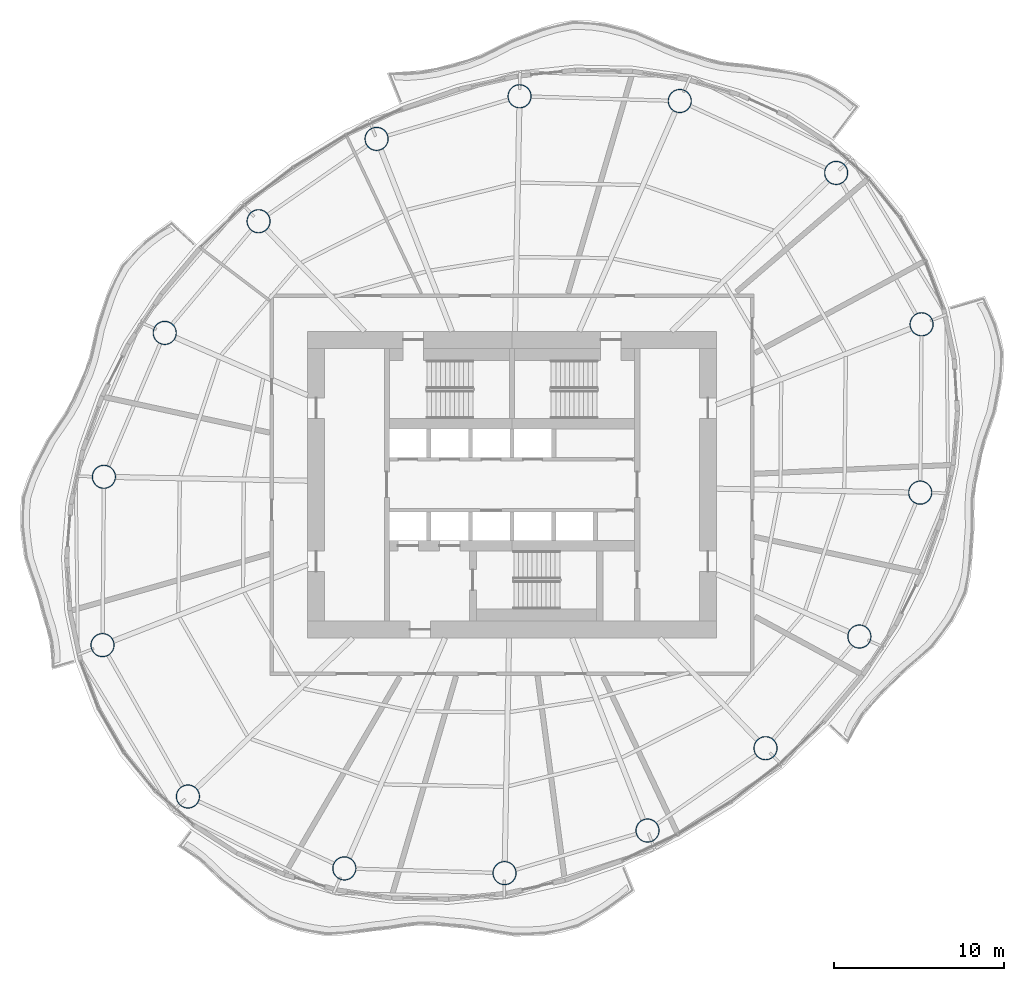
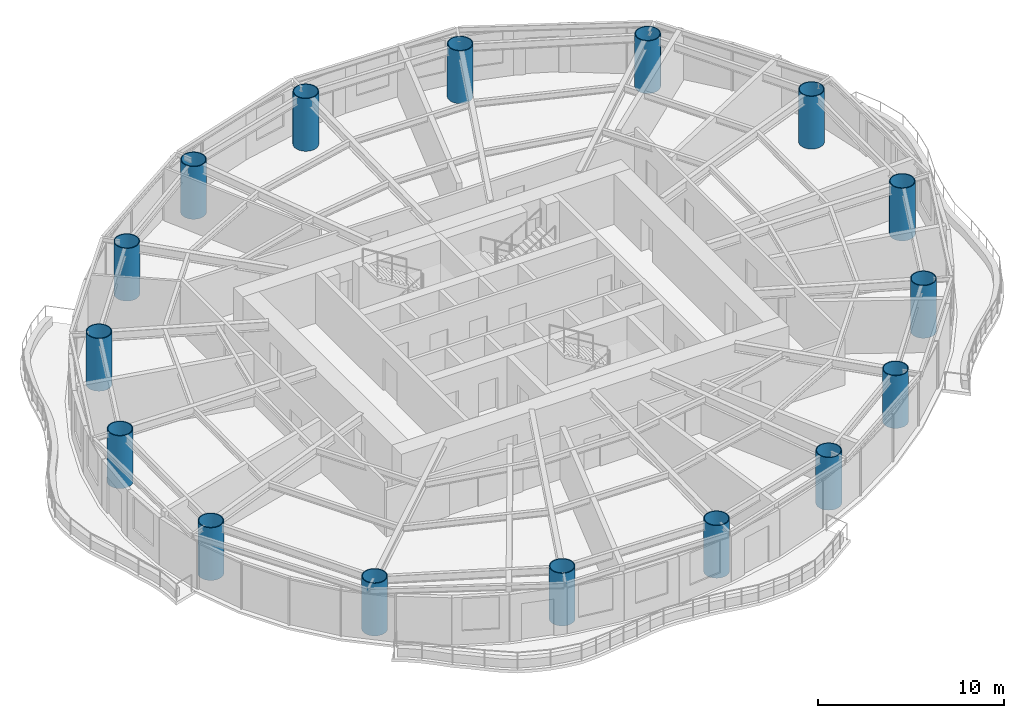
# One storey, part 1 of 14: 16 columns.
"""IFC4 building model written with IfcOpenShell, lengths in metres."""

from ifc_helpers import new_model, si_unit, direction, frame, origin, origin_2d, place, context, subcontext, project, spatial, hollow_circle, extrude, material, material_profile, profile_set, type_object, element, save


model = new_model("IFC4")

# Units and contexts
model_context = context("Model", 3, precision=1e-05, world=origin(), true_north=direction((0.0, 1.0)))
body_context = subcontext(model_context, "Body", "Model", "MODEL_VIEW")
ifc_project = project(units=[si_unit("LENGTHUNIT", "METRE"), si_unit("AREAUNIT", "SQUARE_METRE"), si_unit("VOLUMEUNIT", "CUBIC_METRE"), si_unit("PLANEANGLEUNIT", "RADIAN"), si_unit("MASSUNIT", "GRAM", prefix="KILO")], contexts=[model_context])

# Site, building, storey
site_placement = place(None, origin())
site = spatial("IfcSite", under=ifc_project, at=site_placement, CompositionType="ELEMENT")
building_placement = place(site_placement, origin())
building = spatial("IfcBuilding", under=site, at=building_placement, Name="Vermilion Reach Broadcast Tower", CompositionType="ELEMENT")
storey_placement = place(building_placement, frame((0.0, 0.0, 172.199951171875)))
storey = spatial("IfcBuildingStorey", under=building, at=storey_placement, Name="L41", CompositionType="ELEMENT", Elevation=172.199951171875)

# Columns
ifc_material = material(Name="Concrete C70 infill in steel S460NL tube", Category="concrete")
ifc_material_profile = material_profile(ifc_material, hollow_circle(Radius=0.699951171875, WallThickness=0.050048828125, at=origin_2d()), Name="Concrete C70 infill in steel S460NL tube CFT 1400x50")
ifc_profile_set = profile_set([ifc_material_profile], Name="Concrete C70 infill in steel S460NL tube")
column_type = type_object("IfcColumnType", Name="MC3 CFT 1400x50", PredefinedType="COLUMN", material=ifc_profile_set)
for number, where, z_axis, x_axis, name in (
    (1, (13.02587890625, 18.302734375, 0.0), (0.0, 0.0, 1.0), (1.0, 0.0, 0.0), "Mega-column MC3-01"),
    (2, (3.84521484375, 22.524169921875, 0.0), (0.0, 0.0, 1.0), (1.0, 0.0, 0.0), "Mega-column MC3-02"),
    (3, (-5.558349609375, 22.800048828125, 0.0), (0.0, 0.0, 1.0), (1.0, 0.0, 0.0), "Mega-column MC3-03"),
    (4, (-13.95166015625, 20.30078125, 0.0), (0.0, 0.0, 1.0), (1.0, 0.0, 0.0), "Mega-column MC3-04"),
    (5, (-20.879150390625, 15.46728515625, 0.0), (0.0, 0.0, 1.0), (1.0, 0.0, 0.0), "Mega-column MC3-05"),
    (6, (-26.38818359375, 8.91162109375, 0.0), (0.0, 0.0, 1.0), (1.0, 0.0, 0.0), "Mega-column MC3-06"),
    (7, (-29.95947265625, 0.464111328125, 0.0), (0.0, 0.0, 1.0), (1.0, 0.0, 0.0), "Mega-column MC3-07"),
    (8, (-30.04052734375, -9.41650390625, 0.0), (0.0, 0.0, 1.0), (1.0, 0.0, 0.0), "Mega-column MC3-08"),
    (9, (-25.02587890625, -18.302734375, 0.0), (0.0, 0.0, 1.0), (1.0, 0.0, 0.0), "Mega-column MC3-09"),
    (10, (-15.84521484375, -22.524169921875, 0.0), (0.0, 0.0, 1.0), (1.0, 0.0, 0.0), "Mega-column MC3-10"),
    (11, (-6.441650390625, -22.800048828125, 0.0), (0.0, 0.0, 1.0), (1.0, 0.0, 0.0), "Mega-column MC3-11"),
    (12, (1.95166015625, -20.30078125, 0.0), (0.0, 0.0, 1.0), (1.0, 0.0, 0.0), "Mega-column MC3-12"),
    (13, (8.879150390625, -15.46728515625, 0.0), (0.0, 0.0, 1.0), (1.0, 0.0, 0.0), "Mega-column MC3-13"),
    (14, (14.38818359375, -8.91162109375, 0.0), (0.0, 0.0, 1.0), (1.0, 0.0, 0.0), "Mega-column MC3-14"),
    (15, (17.95947265625, -0.464111328125, 0.0), (0.0, 0.0, 1.0), (1.0, 0.0, 0.0), "Mega-column MC3-15"),
    (16, (18.04052734375, 9.41650390625, 0.0), (0.0, 0.0, 1.0), (1.0, 0.0, 0.0), "Mega-column MC3-16"),
):
    element("IfcColumn", number, at=place(storey_placement, frame(where, z_axis=z_axis, x_axis=x_axis)), inside=storey, type_object=column_type, Name=name, PredefinedType="COLUMN", context=body_context, shape_type="SweptSolid", body=[
        extrude(hollow_circle(Radius=0.699951171875, WallThickness=0.050048828125, at=origin_2d()), origin(), (0.0, 0.0, 1.0), 3.449951171875),
    ])

save(model, "model.ifc")
